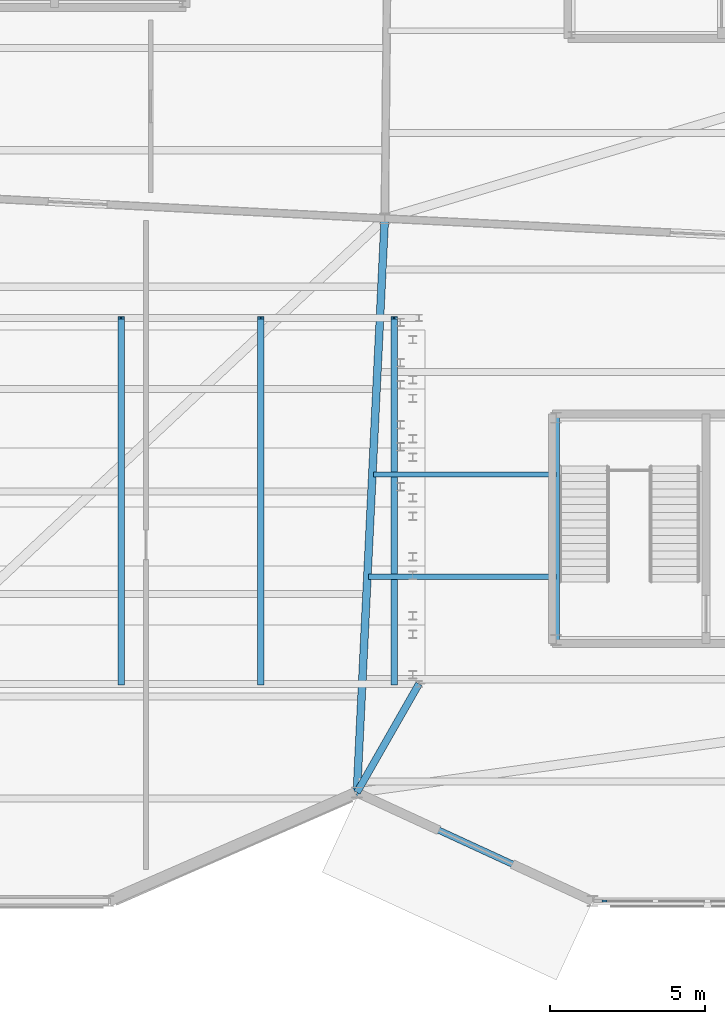
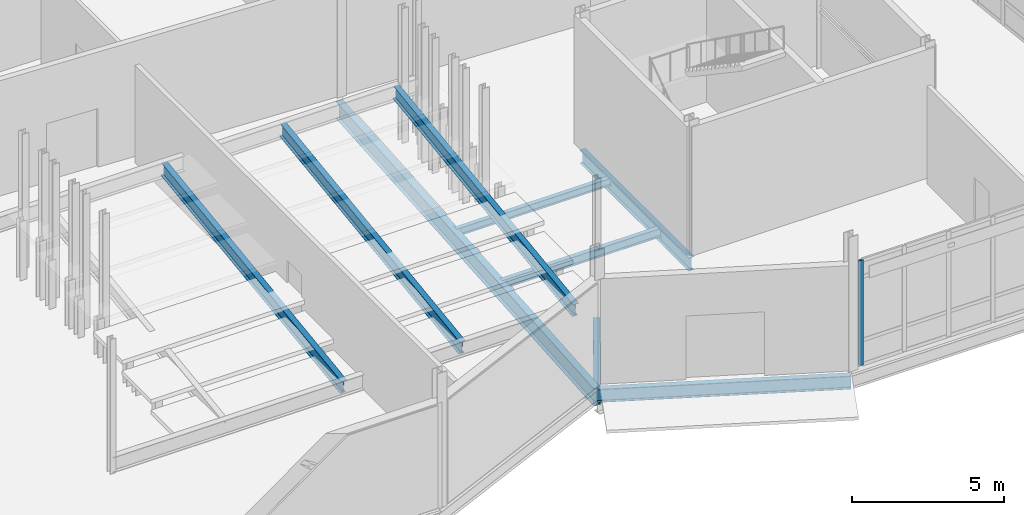
# One storey, part 23 of 113: 9 beams, 1 member, 1 element without a shape of its own.
"""IFC4 building model written with IfcOpenShell, lengths in metres."""

from ifc_helpers import new_model, si_unit, direction, frame, origin, origin_2d, place, context, subcontext, project, spatial, rectangle, i_section, extrude, material, material_profile, profile_set, type_object, element, aggregate, save


model = new_model("IFC4")

# Units and contexts
model_context = context("Model", 3, precision=1e-05, world=origin(), true_north=direction((0.0, 1.0)))
body_context = subcontext(model_context, "Body", "Model", "MODEL_VIEW")
ifc_project = project(units=[si_unit("LENGTHUNIT", "METRE"), si_unit("AREAUNIT", "SQUARE_METRE"), si_unit("VOLUMEUNIT", "CUBIC_METRE"), si_unit("PLANEANGLEUNIT", "RADIAN"), si_unit("MASSUNIT", "GRAM", prefix="KILO")], contexts=[model_context])

# Site, building, storey
site_placement = place(None, origin())
site = spatial("IfcSite", under=ifc_project, at=site_placement, CompositionType="ELEMENT")
building_placement = place(site_placement, origin())
building = spatial("IfcBuilding", under=site, at=building_placement, Name="Tameran Prism Museum", CompositionType="ELEMENT")
storey_placement = place(building_placement, origin())
storey = spatial("IfcBuildingStorey", under=building, at=storey_placement, Name="L00", CompositionType="ELEMENT", Elevation=0.0)

# Beams
ifc_material_1 = material(Name="Steel Grade 300PLUS (300 MPa)", Category="steel")
ifc_material_profile_1 = material_profile(ifc_material_1, i_section(OverallWidth=0.166015625, OverallDepth=0.306884765625, WebThickness=0.006591796875, FlangeThickness=0.01171875, FilletRadius=0.011474609375, at=origin_2d()))
ifc_profile_set_1 = profile_set([ifc_material_profile_1])
beam_type_1 = type_object("IfcBeamType", Name="BM-J310A", PredefinedType="JOIST", material=ifc_profile_set_1)
beam_1_placement = place(storey_placement, frame((23.138916015625, 13.75, -0.3935546875), z_axis=(1.0, 0.0, 0.0), x_axis=(0.0, 1.0, 0.0)))
element("IfcBeam", 1, at=beam_1_placement, inside=storey, type_object=beam_type_1, Name="Floor Beam BM-0263", PredefinedType="JOIST", context=body_context, shape_type="SweptSolid", body=[
    extrude(i_section(OverallWidth=0.166015625, OverallDepth=0.306884765625, WebThickness=0.006591796875, FlangeThickness=0.01171875, FilletRadius=0.011474609375, at=origin_2d()), origin(), (0.0, 0.0, 1.0), 5.881103515625),
])
ifc_material_2 = material(Name="Steel Grade 300PLUS (300 MPa)", Category="steel")
ifc_material_profile_2 = material_profile(ifc_material_2, i_section(OverallWidth=0.1708984375, OverallDepth=0.35595703125, WebThickness=0.00732421875, FlangeThickness=0.011474609375, FilletRadius=0.011474609375, at=origin_2d()))
ifc_profile_set_2 = profile_set([ifc_material_profile_2])
beam_type_2 = type_object("IfcBeamType", Name="BM-J360B", PredefinedType="JOIST", material=ifc_profile_set_2)
beam_2_placement = place(storey_placement, frame((22.97802734375, 10.449951171875, -0.41796875), z_axis=(1.0, 0.0, 0.0), x_axis=(0.0, 1.0, 0.0)))
element("IfcBeam", 2, at=beam_2_placement, inside=storey, type_object=beam_type_2, Name="Floor Beam BM-0261", PredefinedType="JOIST", context=body_context, shape_type="SweptSolid", body=[
    extrude(i_section(OverallWidth=0.1708984375, OverallDepth=0.35595703125, WebThickness=0.00732421875, FlangeThickness=0.011474609375, FilletRadius=0.011474609375, at=origin_2d()), origin(), (0.0, 0.0, 1.0), 6.0419921875),
])
ifc_material_3 = material(Name="Steel Grade 300PLUS (300 MPa)", Category="steel")
ifc_material_profile_3 = material_profile(ifc_material_3, i_section(OverallWidth=0.208984375, OverallDepth=0.532958984375, WebThickness=0.01025390625, FlangeThickness=0.015625, FilletRadius=0.013916015625, at=origin_2d()))
ifc_profile_set_3 = profile_set([ifc_material_profile_3])
beam_type_3 = type_object("IfcBeamType", Name="BM-RAK530", PredefinedType="USERDEFINED", material=ifc_profile_set_3)
for number, where, z_axis, x_axis, name in (
    (3, (15.0, 7.0, 0.340087890625), (0.0, 0.990821558572, 0.135176325848), (-1.0, 0.0, 0.0), "Auditorium Raker Beam RK-1443"),
    (4, (19.5, 7.0, 0.340087890625), (0.0, 0.990821558572, 0.135176325848), (-1.0, 0.0, 0.0), "Auditorium Raker Beam RK-1444"),
    (5, (23.800048828125, 7.0, 0.340087890625), (0.0, 0.990821558572, 0.135176325848), (-1.0, 0.0, 0.0), "Auditorium Raker Beam RK-1445"),
):
    element("IfcBeam", number, at=place(storey_placement, frame(where, z_axis=z_axis, x_axis=x_axis)), inside=storey, type_object=beam_type_3, Name=name, ObjectType="RAKER", PredefinedType="USERDEFINED", context=body_context, shape_type="SweptSolid", body=[
        extrude(i_section(OverallWidth=0.208984375, OverallDepth=0.532958984375, WebThickness=0.01025390625, FlangeThickness=0.015625, FilletRadius=0.013916015625, at=origin_2d()), origin(), (0.0, 0.0, 1.0), 11.909423828125),
    ])
ifc_material_4 = material(Name="Steel Grade 300PLUS (300 MPa)", Category="steel")
ifc_material_profile_4 = material_profile(ifc_material_4, i_section(OverallWidth=0.208984375, OverallDepth=0.528076171875, WebThickness=0.009521484375, FlangeThickness=0.01318359375, FilletRadius=0.013916015625, at=origin_2d()))
ifc_profile_set_4 = profile_set([ifc_material_profile_4])
beam_type_4 = type_object("IfcBeamType", Name="BM-SP530B", PredefinedType="SPANDREL", material=ifc_profile_set_4)
beam_3_placement = place(storey_placement, frame((22.60009765625, 3.5, -0.50390625), z_axis=(0.908305802849, -0.41830678755, 0.0), x_axis=(0.41830678755, 0.908305802849, 0.0)))
element("IfcBeam", 6, at=beam_3_placement, inside=storey, type_object=beam_type_4, Name="Perimeter Spandrel SP-0062", PredefinedType="SPANDREL", context=body_context, shape_type="SweptSolid", body=[
    extrude(i_section(OverallWidth=0.208984375, OverallDepth=0.528076171875, WebThickness=0.009521484375, FlangeThickness=0.01318359375, FilletRadius=0.013916015625, at=origin_2d()), origin(), (0.0, 0.0, 1.0), 8.366943359375),
])
beam_4_placement = place(storey_placement, frame((29.02001953125, 15.580078125, -0.50390625), z_axis=(0.0, -1.0, 0.0), x_axis=(1.0, 0.0, 0.0)))
element("IfcBeam", 7, at=beam_4_placement, inside=storey, type_object=beam_type_4, Name="Core Ring Beam CTB-0133", PredefinedType="SPANDREL", context=body_context, shape_type="SweptSolid", body=[
    extrude(i_section(OverallWidth=0.208984375, OverallDepth=0.528076171875, WebThickness=0.009521484375, FlangeThickness=0.01318359375, FilletRadius=0.013916015625, at=origin_2d()), origin(), (0.0, 0.0, 1.0), 7.16015625),
])
ifc_material_5 = material(Name="Steel Grade 350 (350 MPa)", Category="steel")
ifc_material_profile_5 = material_profile(ifc_material_5, i_section(OverallWidth=0.25, OverallDepth=0.699951171875, WebThickness=0.010009765625, FlangeThickness=0.02001953125, at=origin_2d()))
ifc_profile_set_5 = profile_set([ifc_material_profile_5])
beam_type_5 = type_object("IfcBeamType", Name="BM-SP700", PredefinedType="SPANDREL", material=ifc_profile_set_5)
beam_5_placement = place(storey_placement, frame((22.60009765625, 3.5, -0.590087890625), z_axis=(0.048585922438, 0.998819006698, 0.0), x_axis=(-0.998819006698, 0.048585922438, 0.0)))
element("IfcBeam", 8, at=beam_5_placement, inside=storey, type_object=beam_type_5, Name="Perimeter Spandrel SP-0060", PredefinedType="SPANDREL", context=body_context, shape_type="SweptSolid", body=[
    extrude(i_section(OverallWidth=0.25, OverallDepth=0.699951171875, WebThickness=0.010009765625, FlangeThickness=0.02001953125, at=origin_2d()), origin(), (0.0, 0.0, 1.0), 18.52197265625),
])
ifc_material_6 = material(Name="Steel Grade 300PLUS (300 MPa)", Category="steel")
ifc_material_profile_6 = material_profile(ifc_material_6, i_section(OverallWidth=0.22900390625, OverallDepth=0.612060546875, WebThickness=0.011962890625, FlangeThickness=0.01953125, FilletRadius=0.013916015625, at=origin_2d()))
ifc_profile_set_6 = profile_set([ifc_material_profile_6])
beam_type_6 = type_object("IfcBeamType", Name="BM-UB610A", PredefinedType="BEAM", material=ifc_profile_set_6)
beam_6_placement = place(storey_placement, frame((24.60009765625, 7.0, -0.56005859375), z_axis=(-0.496138938357, -0.868243142124, 0.0), x_axis=(0.868243142124, -0.496138938357, 0.0)))
element("IfcBeam", 9, at=beam_6_placement, inside=storey, type_object=beam_type_6, Name="Frame Tie Girder FG-1436", PredefinedType="BEAM", context=body_context, shape_type="SweptSolid", body=[
    extrude(i_section(OverallWidth=0.22900390625, OverallDepth=0.612060546875, WebThickness=0.011962890625, FlangeThickness=0.01953125, FilletRadius=0.013916015625, at=origin_2d()), origin(), (0.0, 0.0, 1.0), 4.03125),
])

# Curtain wall, member
ifc_material_7 = material(Name="Anodised Aluminium 6063-T6 and Cyclone Solar Glass", Category="aluminium")
curtain_wall_type = type_object("IfcCurtainWallType", Name="CW-FAC-670x422", PredefinedType="USERDEFINED", material=ifc_material_7)
curtain_wall_placement = place(storey_placement, origin())
curtain_wall = element("IfcCurtainWall", 10, at=curtain_wall_placement, inside=storey, type_object=curtain_wall_type, Name="Unitised Curtain Wall CW-043", ObjectType="UNITISED CURTAIN WALL", PredefinedType="USERDEFINED")
ifc_material_8 = material(Name="Anodised Aluminium Alloy 6063-T6", Category="aluminium")
ifc_material_profile_7 = material_profile(ifc_material_8, rectangle(XDim=0.06494140625, YDim=0.159912109375, at=origin_2d()))
ifc_profile_set_7 = profile_set([ifc_material_profile_7])
member_type = type_object("IfcMemberType", Name="CW-MUL-A", PredefinedType="MULLION", material=ifc_profile_set_7)
member_placement = place(storey_placement, frame((30.58251953125, 0.0, 0.0), z_axis=(0.0, 0.0, 1.0), x_axis=(0.0, -1.0, 0.0)))
member = element("IfcMember", 11, at=member_placement, type_object=member_type, Name="CW-043 mullion 5", PredefinedType="MULLION", context=body_context, shape_type="SweptSolid", body=[
    extrude(rectangle(XDim=0.06494140625, YDim=0.159912109375, at=origin_2d()), origin(), (0.0, 0.0, 1.0), 4.219970703125),
])
aggregate(curtain_wall, [member])

save(model, "model.ifc")
